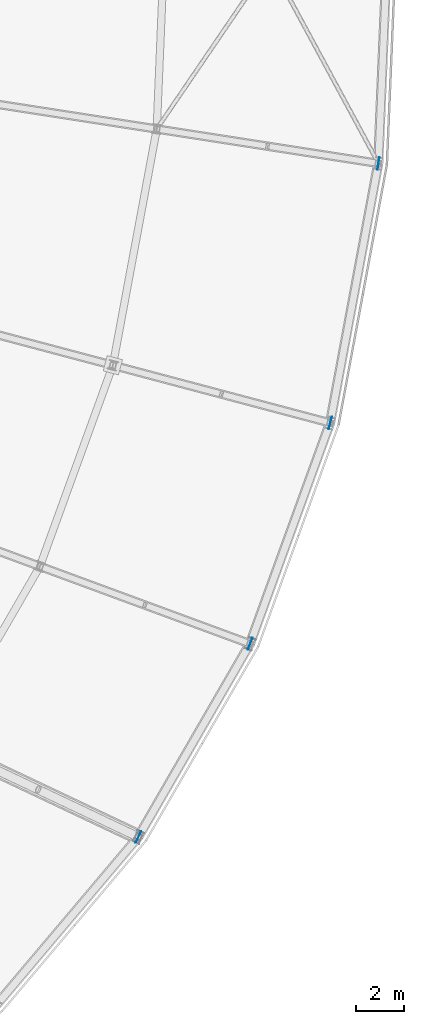
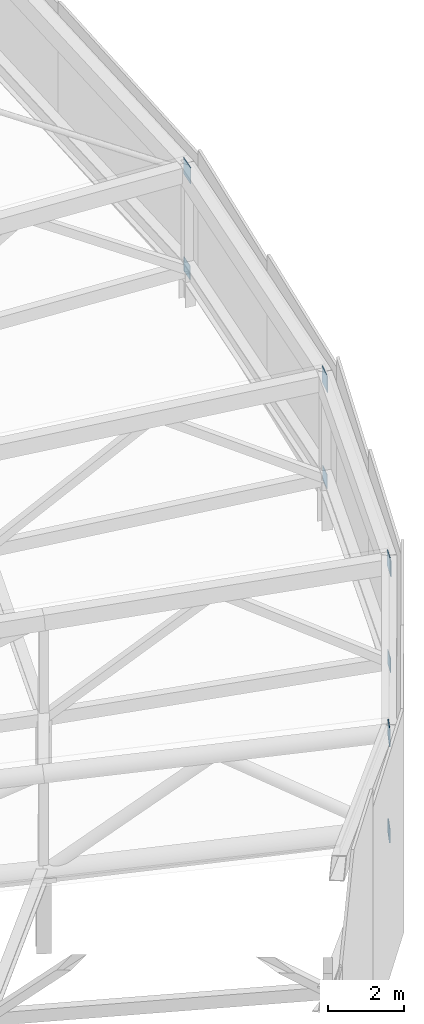
# One storey, part 125 of 143: 8 plates.
"""IFC4 building model written with IfcOpenShell, lengths in metres."""

from ifc_helpers import new_model, si_unit, direction, frame, origin, origin_2d, place, context, subcontext, project, spatial, rectangle, extrude, material, layer, layer_set, type_object, element, save


model = new_model("IFC4")

# Units and contexts
model_context = context("Model", 3, precision=1e-05, world=origin(), true_north=direction((0.0, 1.0)))
body_context = subcontext(model_context, "Body", "Model", "MODEL_VIEW")
ifc_project = project(units=[si_unit("LENGTHUNIT", "METRE"), si_unit("AREAUNIT", "SQUARE_METRE"), si_unit("VOLUMEUNIT", "CUBIC_METRE"), si_unit("PLANEANGLEUNIT", "RADIAN"), si_unit("MASSUNIT", "GRAM", prefix="KILO")], contexts=[model_context])

# Site, building, storey
site_placement = place(None, origin())
site = spatial("IfcSite", under=ifc_project, at=site_placement, CompositionType="ELEMENT")
building_placement = place(site_placement, origin())
building = spatial("IfcBuilding", under=site, at=building_placement, Name="Mphavela Belvedere Stadium", CompositionType="ELEMENT")
storey_placement = place(building_placement, frame((0.0, 0.0, 28.800048828125)))
storey = spatial("IfcBuildingStorey", under=building, at=storey_placement, Name="RF", CompositionType="ELEMENT", Elevation=28.800048828125)

# Plates
ifc_material_1 = material(Name="Steel S355", Category="steel")
ifc_layer_1 = layer(ifc_material_1, 0.01806640625)
ifc_layer_set_1 = layer_set([ifc_layer_1], Name="Steel S355")
plate_type_1 = type_object("IfcPlateType", Name="PLT-CAP-TRUSS-BC", PredefinedType="USERDEFINED", material=ifc_layer_set_1)
for number, where, z_axis, x_axis, name in (
    (1, (207.242431640625, 43.33837890625, 3.0810546875), (0.0, 0.0, 1.0), (0.903858661687, -0.4278311813, 0.0), "Roof truss RT-45 hollow-end cap plate out_bc"),
    (2, (211.856201171875, 51.317626953125, 2.0869140625), (0.0, 0.0, 1.0), (0.938372433776, -0.34562577382, 0.0), "Roof truss RT-46 hollow-end cap plate out_bc"),
    (3, (215.16455078125, 60.4375, 1.323974609375), (0.0, 0.0, 1.0), (0.966600102017, -0.256289373133, 0.0), "Roof truss RT-47 hollow-end cap plate out_bc"),
    (4, (217.155517578125, 71.155029296875, 0.844482421875), (0.0, 0.0, 1.0), (0.98817491911, -0.153330783737, 0.0), "Roof truss RT-48 hollow-end cap plate out_bc"),
):
    element("IfcPlate", number, at=place(storey_placement, frame(where, z_axis=z_axis, x_axis=x_axis)), inside=storey, type_object=plate_type_1, Name=name, ObjectType="GUSSET_PLATE", PredefinedType="USERDEFINED", context=body_context, shape_type="SweptSolid", body=[
        extrude(rectangle(XDim=0.01806640625, YDim=0.4599609375, at=origin_2d()), origin(), (0.0, 0.0, 1.0), 0.4599609375),
    ])
ifc_material_2 = material(Name="Steel S355", Category="steel")
ifc_layer_2 = layer(ifc_material_2, 0.02001953125)
ifc_layer_set_2 = layer_set([ifc_layer_2], Name="Steel S355")
plate_type_2 = type_object("IfcPlateType", Name="PLT-CAP-TRUSS-TC", PredefinedType="USERDEFINED", material=ifc_layer_set_2)
for number, where, z_axis, x_axis, name in (
    (5, (207.242431640625, 43.33837890625, 6.200927734375), (0.0, 0.0, 1.0), (0.903858661687, -0.4278311813, 0.0), "Roof truss RT-45 hollow-end cap plate out_tc"),
    (6, (211.856201171875, 51.317626953125, 5.206787109375), (0.0, 0.0, 1.0), (0.938372433776, -0.34562577382, 0.0), "Roof truss RT-46 hollow-end cap plate out_tc"),
    (7, (215.16455078125, 60.4375, 4.444091796875), (0.0, 0.0, 1.0), (0.966600102017, -0.256289373133, 0.0), "Roof truss RT-47 hollow-end cap plate out_tc"),
    (8, (217.155517578125, 71.155029296875, 3.964599609375), (0.0, 0.0, 1.0), (0.98817491911, -0.153330783737, 0.0), "Roof truss RT-48 hollow-end cap plate out_tc"),
):
    element("IfcPlate", number, at=place(storey_placement, frame(where, z_axis=z_axis, x_axis=x_axis)), inside=storey, type_object=plate_type_2, Name=name, ObjectType="GUSSET_PLATE", PredefinedType="USERDEFINED", context=body_context, shape_type="SweptSolid", body=[
        extrude(rectangle(XDim=0.02001953125, YDim=0.52001953125, at=origin_2d()), origin(), (0.0, 0.0, 1.0), 0.52001953125),
    ])

save(model, "model.ifc")
